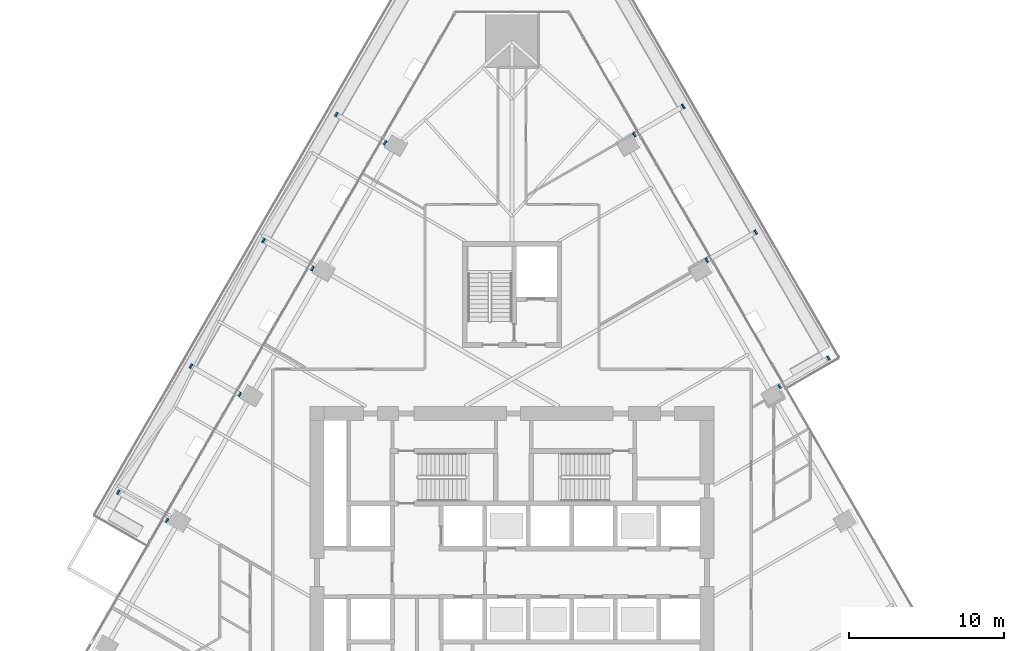
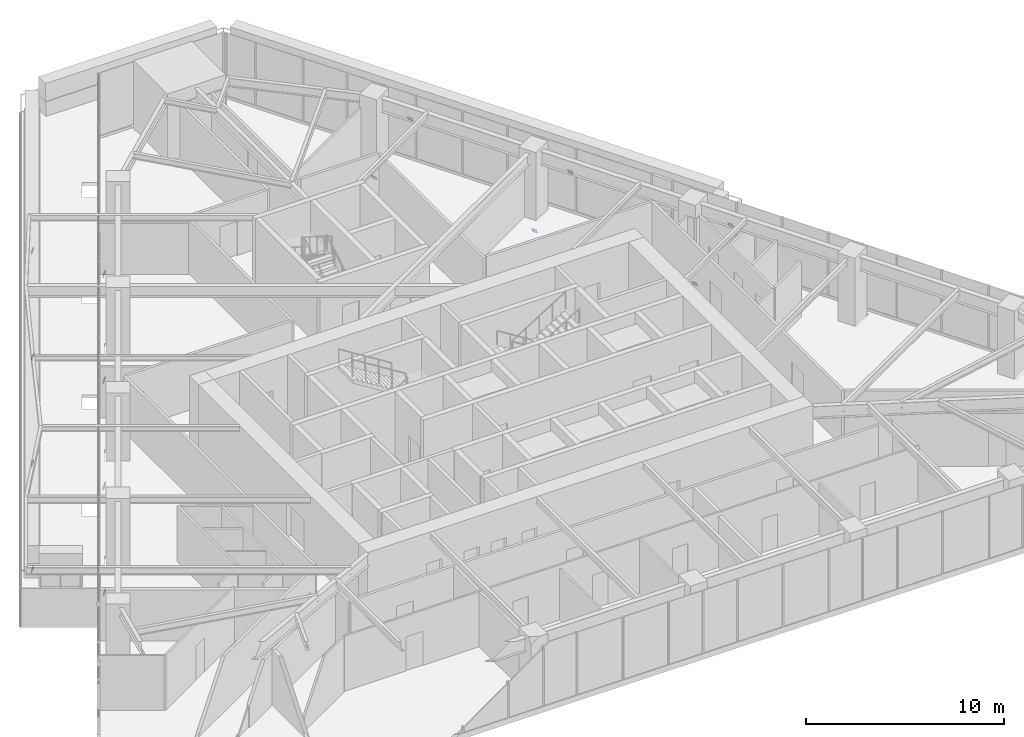
# One storey, part 23 of 26: 14 discrete accessories.
"""IFC4 building model written with IfcOpenShell, lengths in metres."""

from ifc_helpers import new_model, si_unit, direction, frame, origin, place, context, subcontext, project, spatial, polyline, outline, extrude, material, layer, layer_set, type_object, element, save


model = new_model("IFC4")

# Units and contexts
model_context = context("Model", 3, precision=1e-05, world=origin(), true_north=direction((0.0, 1.0)))
body_context = subcontext(model_context, "Body", "Model", "MODEL_VIEW")
ifc_project = project(units=[si_unit("LENGTHUNIT", "METRE"), si_unit("AREAUNIT", "SQUARE_METRE"), si_unit("VOLUMEUNIT", "CUBIC_METRE"), si_unit("PLANEANGLEUNIT", "RADIAN"), si_unit("MASSUNIT", "GRAM", prefix="KILO")], contexts=[model_context])

# Site, building, storey
site_placement = place(None, origin())
site = spatial("IfcSite", under=ifc_project, at=site_placement, CompositionType="ELEMENT")
building_placement = place(site_placement, origin())
building = spatial("IfcBuilding", under=site, at=building_placement, Name="Firuza Gate Tower and Library", CompositionType="ELEMENT")
storey_placement = place(building_placement, frame((0.0, 0.0, 115.60009765625)))
storey = spatial("IfcBuildingStorey", under=building, at=storey_placement, Name="L26", CompositionType="ELEMENT", Elevation=115.60009765625)

# Discrete accessories
ifc_material = material(Name="Steel S355", Category="steel")
ifc_layer = layer(ifc_material, 0.02001953125)
ifc_layer_set = layer_set([ifc_layer], Name="Strut seat plate 304x304x20 Steel S355")
discrete_accessory_type = type_object("IfcDiscreteAccessoryType", Name="Strut seat plate 304x304x20 Steel S355", PredefinedType="BRACKET", material=ifc_layer_set)
discrete_accessory_1_placement = place(storey_placement, frame((92.112060546875, 85.401611328125, -1.53564453125), z_axis=(0.807328680114, 0.465982478786, 0.362050730879), x_axis=(0.499833976398, -0.866121216566, 0.000185076226)))
element("IfcDiscreteAccessory", 1, at=discrete_accessory_1_placement, inside=storey, type_object=discrete_accessory_type, Name="Strut seat plate L26 col:L25:E3", PredefinedType="BRACKET", context=body_context, shape_type="SweptSolid", body=[
    extrude(outline(polyline([(0.0, 0.0), (0.30406287255707104, -6.938893903907228e-18), (0.30393514216862605, 0.3041366410844333), (-3.830479270092284e-05, 0.3040159179640979), (0.0, 0.0)])), origin(), (0.0, 0.0, -1.0), 0.02001953125),
])
discrete_accessory_2_placement = place(storey_placement, frame((95.4140625, 86.956787109375, -0.12109375), z_axis=(0.807328680114, 0.465982478786, 0.362050730879), x_axis=(-0.499912926069, 0.866075668686, 4.9594885e-05)))
element("IfcDiscreteAccessory", 2, at=discrete_accessory_2_placement, inside=storey, type_object=discrete_accessory_type, Name="Strut seat plate L26 col:L25:E3", PredefinedType="BRACKET", context=body_context, shape_type="SweptSolid", body=[
    extrude(outline(polyline([(0.0, 0.0), (0.3041849119758097, -6.938893903907228e-18), (0.304024631629005, -0.3040924658782561), (0.00017321296246153618, -0.30406011569786934), (0.0, 0.0)])), origin(), (0.0, 0.0, -1.0), 0.02001953125),
])
discrete_accessory_3_placement = place(storey_placement, frame((87.434814453125, 93.50244140625, -1.53564453125), z_axis=(0.806912615133, 0.466332615239, 0.36252713485), x_axis=(0.500371262739, -0.865810949009, 0.0)))
element("IfcDiscreteAccessory", 3, at=discrete_accessory_3_placement, inside=storey, type_object=discrete_accessory_type, Name="Strut seat plate L26 col:L25:E4", PredefinedType="BRACKET", context=body_context, shape_type="SweptSolid", body=[
    extrude(outline(polyline([(0.0, 0.0), (0.3039735106735333, 0.0), (0.3039666476986559, 0.3041367075471871), (-6.862974877369643e-06, 0.30413670754718714), (0.0, 0.0)])), origin(), (0.0, 0.0, -1.0), 0.02001953125),
])
discrete_accessory_4_placement = place(storey_placement, frame((90.73681640625, 95.057861328125, -0.12109375), z_axis=(0.807176415657, 0.466110685294, 0.362225155203), x_axis=(-0.500030600633, 0.866007727814, -0.00011746159)))
element("IfcDiscreteAccessory", 4, at=discrete_accessory_4_placement, inside=storey, type_object=discrete_accessory_type, Name="Strut seat plate L26 col:L25:E4", PredefinedType="BRACKET", context=body_context, shape_type="SweptSolid", body=[
    extrude(outline(polyline([(0.0, 0.0), (0.30385140726979953, 0.0), (0.30405701887744563, -0.30406008240548643), (8.353382428836226e-05, -0.3041366801920383), (0.0, 0.0)])), origin(), (0.0, 0.0, -1.0), 0.02001953125),
])
discrete_accessory_5_placement = place(storey_placement, frame((82.7578125, 101.603515625, -1.53564453125), z_axis=(0.807389027558, 0.465642999667, 0.362352804651), x_axis=(0.499617796206, -0.866245954172, -6.7784983e-05)))
element("IfcDiscreteAccessory", 5, at=discrete_accessory_5_placement, inside=storey, type_object=discrete_accessory_type, Name="Strut seat plate L26 col:L25:E5", PredefinedType="BRACKET", context=body_context, shape_type="SweptSolid", body=[
    extrude(outline(polyline([(0.0, 0.0), (0.30385141792910364, 6.938893903907228e-18), (0.3039793273513433, 0.30409247875968454), (-8.357640641559245e-05, 0.3041366908296457), (0.0, 0.0)])), origin(), (0.0, 0.0, -1.0), 0.02001953125),
])
discrete_accessory_6_placement = place(storey_placement, frame((86.059814453125, 103.158935546875, -0.12109375), z_axis=(0.807065000242, 0.466204446129, 0.362352728421), x_axis=(-0.500220173323, 0.865898246677, 6.7839443e-05)))
element("IfcDiscreteAccessory", 6, at=discrete_accessory_6_placement, inside=storey, type_object=discrete_accessory_type, Name="Strut seat plate L26 col:L25:E5", PredefinedType="BRACKET", context=body_context, shape_type="SweptSolid", body=[
    extrude(outline(polyline([(0.0, 0.0), (0.30397350534623263, -1.3877787807814457e-17), (0.3039803789758316, -0.30413670222250444), (-0.00020452730953123105, -0.30409243686716886), (0.0, 0.0)])), origin(), (0.0, 0.0, -1.0), 0.02001953125),
])
discrete_accessory_7_placement = place(storey_placement, frame((66.790283203125, 100.820556640625, -1.53564453125), z_axis=(-0.807328680114, 0.465982478786, 0.362050730879), x_axis=(0.499833976398, 0.866121216566, -0.000185076226)))
element("IfcDiscreteAccessory", 7, at=discrete_accessory_7_placement, inside=storey, type_object=discrete_accessory_type, Name="Strut seat plate L26 col:L25:W1", PredefinedType="BRACKET", context=body_context, shape_type="SweptSolid", body=[
    extrude(outline(polyline([(0.0, 0.0), (0.30406287255707104, 6.938893903907228e-18), (0.304101177349772, 0.3040159179640979), (0.0001277303884449574, 0.3041366410844333), (0.0, 0.0)])), origin(), (0.0, 0.0, -1.0), 0.02001953125),
])
discrete_accessory_8_placement = place(storey_placement, frame((63.792236328125, 102.902587890625, -0.12109375), z_axis=(-0.807389027558, 0.465642999667, 0.362352804651), x_axis=(-0.499572155029, -0.866272276673, 6.7737836e-05)))
element("IfcDiscreteAccessory", 8, at=discrete_accessory_8_placement, inside=storey, type_object=discrete_accessory_type, Name="Strut seat plate L26 col:L25:W1", PredefinedType="BRACKET", context=body_context, shape_type="SweptSolid", body=[
    extrude(outline(polyline([(0.0, 0.0), (0.3040629069720726, 0.0), (0.30393510776808547, -0.3041366754621787), (8.369305105982846e-05, -0.30409249414364486), (0.0, 0.0)])), origin(), (0.0, 0.0, -1.0), 0.02001953125),
])
discrete_accessory_9_placement = place(storey_placement, frame((62.113037109375, 92.7197265625, -1.53564453125), z_axis=(-0.807328680114, 0.465982478786, 0.362050730879), x_axis=(0.499958509514, 0.866049337216, 0.000185130659)))
element("IfcDiscreteAccessory", 9, at=discrete_accessory_9_placement, inside=storey, type_object=discrete_accessory_type, Name="Strut seat plate L26 col:L25:W2", PredefinedType="BRACKET", context=body_context, shape_type="SweptSolid", body=[
    extrude(outline(polyline([(0.0, 0.0), (0.3039734709339328, 0.0), (0.3039804133889135, 0.3041366678271067), (-8.243518850123039e-05, 0.3040159092009001), (0.0, 0.0)])), origin(), (0.0, 0.0, -1.0), 0.02001953125),
])
discrete_accessory_10_placement = place(storey_placement, frame((59.115234375, 94.801513671875, -0.12109375), z_axis=(-0.807065000242, 0.466204446129, 0.362352728421), x_axis=(-0.500220173323, -0.865898246677, -6.7839443e-05)))
element("IfcDiscreteAccessory", 10, at=discrete_accessory_10_placement, inside=storey, type_object=discrete_accessory_type, Name="Strut seat plate L26 col:L25:W2", PredefinedType="BRACKET", context=body_context, shape_type="SweptSolid", body=[
    extrude(outline(polyline([(0.0, 0.0), (0.30397350534623263, 1.3877787807814457e-17), (0.3041780326557639, -0.30409243686716886), (-6.873629598945817e-06, -0.30413670222250444), (0.0, 0.0)])), origin(), (0.0, 0.0, -1.0), 0.02001953125),
])
discrete_accessory_11_placement = place(storey_placement, frame((57.43603515625, 84.61865234375, -1.53564453125), z_axis=(-0.806912615133, 0.466332615239, 0.36252713485), x_axis=(0.500371262739, 0.865810949009, 0.0)))
element("IfcDiscreteAccessory", 11, at=discrete_accessory_11_placement, inside=storey, type_object=discrete_accessory_type, Name="Strut seat plate L26 col:L25:W3", PredefinedType="BRACKET", context=body_context, shape_type="SweptSolid", body=[
    extrude(outline(polyline([(0.0, 0.0), (0.3039735106735333, 0.0), (0.30398037364841063, 0.30413670754718714), (6.862974877369643e-06, 0.30413670754718714), (0.0, 0.0)])), origin(), (0.0, 0.0, -1.0), 0.02001953125),
])
discrete_accessory_12_placement = place(storey_placement, frame((54.43798828125, 86.700439453125, -0.12109375), z_axis=(-0.807236862691, 0.465771176803, 0.362527045021), x_axis=(-0.499768824934, -0.866158831638, 0.0)))
element("IfcDiscreteAccessory", 12, at=discrete_accessory_12_placement, inside=storey, type_object=discrete_accessory_type, Name="Strut seat plate L26 col:L25:W3", PredefinedType="BRACKET", context=body_context, shape_type="SweptSolid", body=[
    extrude(outline(polyline([(0.0, 0.0), (0.30385142324571607, 6.938893903907228e-18), (0.3037678574739876, -0.3041366961441935), (-8.356577172844576e-05, -0.3041366961441935), (0.0, 0.0)])), origin(), (0.0, 0.0, -1.0), 0.02001953125),
])
discrete_accessory_13_placement = place(storey_placement, frame((52.759033203125, 76.517578125, -1.53564453125), z_axis=(-0.807389027558, 0.465642999667, 0.362352804651), x_axis=(0.499572155029, 0.866272276673, -6.7737836e-05)))
element("IfcDiscreteAccessory", 13, at=discrete_accessory_13_placement, inside=storey, type_object=discrete_accessory_type, Name="Strut seat plate L26 col:L25:W4", PredefinedType="BRACKET", context=body_context, shape_type="SweptSolid", body=[
    extrude(outline(polyline([(0.0, 0.0), (0.3040629069720726, 0.0), (0.3039792139210128, 0.30409249414364486), (0.0001277992039872251, 0.3041366754621787), (0.0, 0.0)])), origin(), (0.0, 0.0, -1.0), 0.02001953125),
])
discrete_accessory_14_placement = place(storey_placement, frame((49.760986328125, 78.599609375, -0.12109375), z_axis=(-0.807065000242, 0.466204446129, 0.362352728421), x_axis=(-0.500174513809, -0.865924622089, 6.7792295e-05)))
element("IfcDiscreteAccessory", 14, at=discrete_accessory_14_placement, inside=storey, type_object=discrete_accessory_type, Name="Strut seat plate L26 col:L25:W4", PredefinedType="BRACKET", context=body_context, shape_type="SweptSolid", body=[
    extrude(outline(polyline([(0.0, 0.0), (0.3041849095061368, 6.938893903907228e-18), (0.3041337775364572, -0.304136698001982), (0.00016027540876014529, -0.30409246341043505), (0.0, 0.0)])), origin(), (0.0, 0.0, -1.0), 0.02001953125),
])

save(model, "model.ifc")
